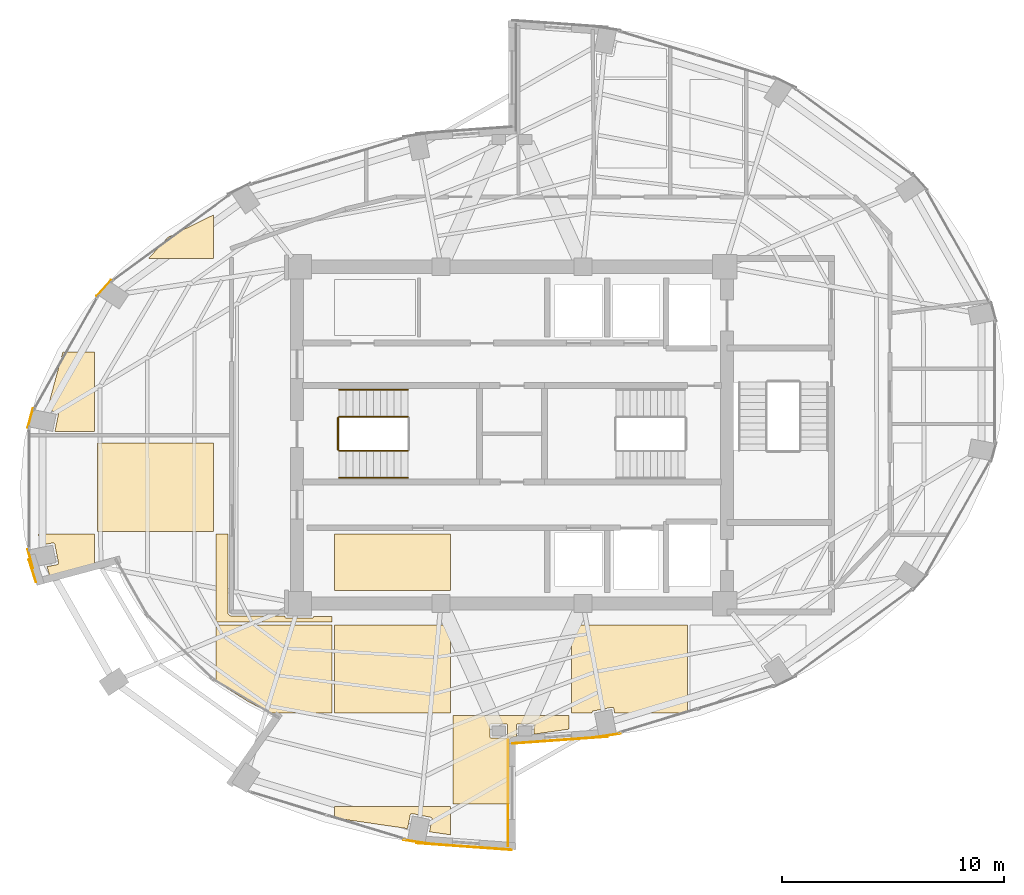
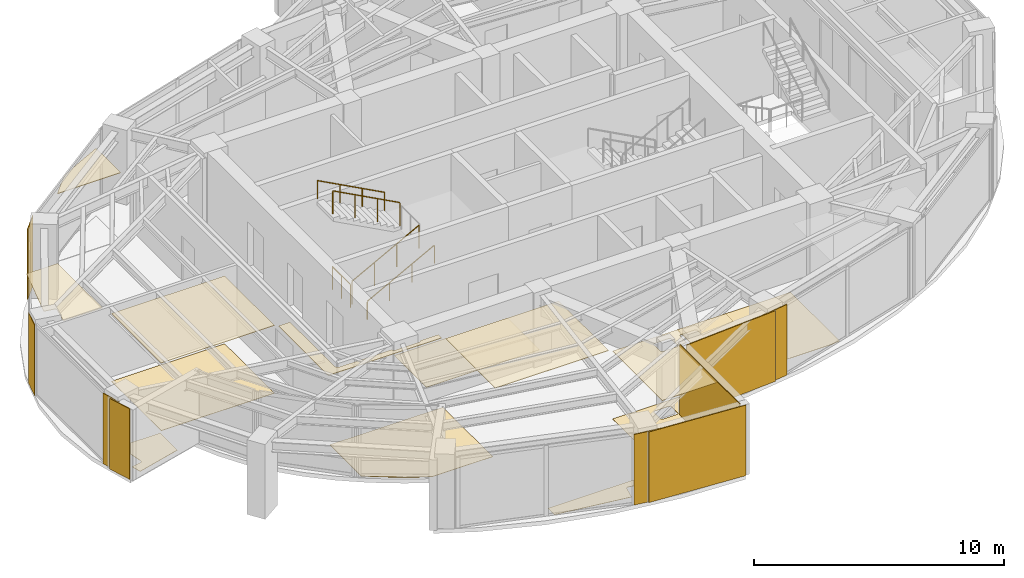
# One storey, part 21 of 22: 22 coverings, 5 railings.
"""IFC4 building model written with IfcOpenShell, lengths in metres."""

from ifc_helpers import new_model, si_unit, direction, frame, origin, origin_2d, place, context, subcontext, project, spatial, polyline, rectangle, circle, outline, extrude, material, layer, layer_set, type_object, element, save


model = new_model("IFC4")

# Units and contexts
model_context = context("Model", 3, precision=1e-05, world=origin(), true_north=direction((0.0, 1.0)))
body_context = subcontext(model_context, "Body", "Model", "MODEL_VIEW")
ifc_project = project(units=[si_unit("LENGTHUNIT", "METRE"), si_unit("AREAUNIT", "SQUARE_METRE"), si_unit("VOLUMEUNIT", "CUBIC_METRE"), si_unit("PLANEANGLEUNIT", "RADIAN"), si_unit("MASSUNIT", "GRAM", prefix="KILO")], contexts=[model_context])

# Site, building, storey
site_placement = place(None, origin())
site = spatial("IfcSite", under=ifc_project, at=site_placement, CompositionType="ELEMENT")
building_placement = place(site_placement, origin())
building = spatial("IfcBuilding", under=site, at=building_placement, Name="Lazwardi Medical Tower", CompositionType="ELEMENT")
storey_placement = place(building_placement, frame((0.0, 0.0, 224.01611328125)))
storey = spatial("IfcBuildingStorey", under=building, at=storey_placement, Name="L58", CompositionType="ELEMENT", Elevation=224.01611328125)

# Coverings
ifc_material_1 = material(Name="Anodised bronze aluminium cassette cladding", Category="aluminium")
ifc_layer_1 = layer(ifc_material_1, 0.030029296875)
ifc_layer_set_1 = layer_set([ifc_layer_1], Name="Anodised bronze aluminium cassette cladding")
covering_type_1 = type_object("IfcCoveringType", Name="COV-CLD-BRZ", PredefinedType="CLADDING", material=ifc_layer_set_1)
covering_1_placement = place(storey_placement, frame((40.3232421875, 14.450439453125, 0.0), z_axis=(0.0, 0.0, 1.0), x_axis=(0.989512431533, 0.144447733943, 0.0)))
element("IfcCovering", 1, at=covering_1_placement, inside=storey, type_object=covering_type_1, Name="L58 Mega-column bronze cassette cover M01", PredefinedType="CLADDING", context=body_context, shape_type="SweptSolid", body=[
    extrude(rectangle(XDim=1.188720703125, YDim=0.030029296875, at=origin_2d()), origin(), (0.0, 0.0, 1.0), 3.447998046875),
])
covering_2_placement = place(storey_placement, frame((17.57470703125, 34.634765625, 0.0), z_axis=(0.0, 0.0, 1.0), x_axis=(-0.673240970654, -0.739423150458, 0.0)))
element("IfcCovering", 2, at=covering_2_placement, inside=storey, type_object=covering_type_1, Name="L58 Mega-column bronze cassette cover M11", PredefinedType="CLADDING", context=body_context, shape_type="SweptSolid", body=[
    extrude(rectangle(XDim=0.98974609375, YDim=0.030029296875, at=origin_2d()), origin(), (0.0, 0.0, 1.0), 3.447998046875),
])
for number, where, z_axis, x_axis, name in (
    (3, (14.265869140625, 28.772705078125, 0.0), (0.0, 0.0, 1.0), (-0.261641748247, -0.96516506131, 0.0), "L58 Mega-column bronze cassette cover M12"),
    (4, (14.265869140625, 22.427490234375, 0.0), (0.0, 0.0, 1.0), (0.261641748247, -0.96516506131, 0.0), "L58 Mega-column bronze cassette cover M13"),
):
    element("IfcCovering", number, at=place(storey_placement, frame(where, z_axis=z_axis, x_axis=x_axis)), inside=storey, type_object=covering_type_1, Name=name, PredefinedType="CLADDING", context=body_context, shape_type="SweptSolid", body=[
        extrude(rectangle(XDim=0.894287109375, YDim=0.030029296875, at=origin_2d()), origin(), (0.0, 0.0, 1.0), 3.447998046875),
    ])
covering_3_placement = place(storey_placement, frame((31.6767578125, 9.650390625, 0.0), z_axis=(0.0, 0.0, 1.0), x_axis=(0.989512431533, -0.144447733943, 0.0)))
element("IfcCovering", 5, at=covering_3_placement, inside=storey, type_object=covering_type_1, Name="L58 Mega-column bronze cassette cover M16", PredefinedType="CLADDING", context=body_context, shape_type="SweptSolid", body=[
    extrude(rectangle(XDim=1.188720703125, YDim=0.030029296875, at=origin_2d()), origin(), (0.0, 0.0, 1.0), 3.447998046875),
])
ifc_material_2 = material(Name="Turquoise glazed ceramic tilework cladding", Category="masonry")
ifc_layer_2 = layer(ifc_material_2, 0.034912109375)
ifc_layer_set_2 = layer_set([ifc_layer_2], Name="Turquoise glazed ceramic tilework cladding")
covering_type_2 = type_object("IfcCoveringType", Name="COV-CLD-TRQ", PredefinedType="CLADDING", material=ifc_layer_set_2)
covering_4_placement = place(storey_placement, frame((38.16259765625, 14.239990234375, 0.0), z_axis=(0.0, 0.0, 1.0), x_axis=(0.997409491337, 0.071932653157, 0.0)))
element("IfcCovering", 6, at=covering_4_placement, inside=storey, type_object=covering_type_2, Name="L58 Turquoise glazed ceramic tilework cladding", PredefinedType="CLADDING", context=body_context, shape_type="SweptSolid", body=[
    extrude(rectangle(XDim=4.31103515625, YDim=0.034912109375, at=origin_2d()), origin(), (0.0, 0.0, 1.0), 3.447998046875),
])
covering_5_placement = place(storey_placement, frame((33.83740234375, 9.43994140625, 0.0), z_axis=(0.0, 0.0, 1.0), x_axis=(0.997408989128, -0.071939616387, 0.0)))
element("IfcCovering", 7, at=covering_5_placement, inside=storey, type_object=covering_type_2, Name="L58 Turquoise glazed ceramic tilework cladding", PredefinedType="CLADDING", context=body_context, shape_type="SweptSolid", body=[
    extrude(rectangle(XDim=4.310546875, YDim=0.034912109375, at=origin_2d()), origin(), (0.0, 0.0, 1.0), 3.447998046875),
])
covering_6_placement = place(storey_placement, frame((35.824462890625, 11.860107421875, 0.0), z_axis=(0.0, 0.0, 1.0), x_axis=(0.0, 1.0, 0.0)))
element("IfcCovering", 8, at=covering_6_placement, inside=storey, type_object=covering_type_2, Name="L58 Turquoise glazed ceramic tilework iwan panel", PredefinedType="CLADDING", context=body_context, shape_type="SweptSolid", body=[
    extrude(rectangle(XDim=4.800048828125, YDim=0.034912109375, at=origin_2d()), origin(), (0.0, 0.0, 1.0), 3.447998046875),
])
covering_7_placement = place(storey_placement, frame((14.360595703125, 21.879150390625, 0.0), z_axis=(0.0, 0.0, 1.0), x_axis=(0.303318010952, -0.952889387197, 0.0)))
element("IfcCovering", 9, at=covering_7_placement, inside=storey, type_object=covering_type_2, Name="L58 Turquoise glazed ceramic tilework cladding", PredefinedType="CLADDING", context=body_context, shape_type="SweptSolid", body=[
    extrude(rectangle(XDim=1.080810546875, YDim=0.034912109375, at=origin_2d()), origin(), (0.0, 0.0, 1.0), 3.447998046875),
])
ifc_material_3 = material(Name="Acoustic mineral fibre tile")
ifc_layer_3 = layer(ifc_material_3, 0.02490234375)
ifc_layer_set_3 = layer_set([ifc_layer_3], Name="Acoustic mineral fibre tile")
covering_type_3 = type_object("IfcCoveringType", Name="COV-CLG-01", PredefinedType="CEILING", material=ifc_layer_set_3)
covering_8_placement = place(storey_placement, frame((0.0, 0.0, 3.302978515625)))
element("IfcCovering", 10, at=covering_8_placement, inside=storey, type_object=covering_type_3, Name="L58 Clinical Acoustic Ceiling 1", PredefinedType="CEILING", context=body_context, shape_type="SweptSolid", body=[
    extrude(outline(polyline([(15.740478515625, 31.742431640625), (15.728271484375, 31.729248046875), (15.0224609375, 29.13134765625), (15.4716796875, 29.0419921875), (15.479248046875, 29.040283203125), (15.486572265625, 29.03759765625), (15.49365234375, 29.0341796875), (15.50048828125, 29.030029296875), (15.5068359375, 29.025390625), (15.5126953125, 29.020263671875), (15.517822265625, 29.014404296875), (15.5224609375, 29.008056640625), (15.526611328125, 29.001220703125), (15.52978515625, 28.994140625), (15.53271484375, 28.98681640625), (15.534423828125, 28.979248046875), (15.53564453125, 28.971435546875), (15.535888671875, 28.963623046875), (15.53564453125, 28.955810546875), (15.534423828125, 28.947998046875), (15.378662109375, 28.1650390625), (17.1728515625, 28.1650390625), (17.1728515625, 31.742431640625), (15.740478515625, 31.742431640625)])), origin(), (0.0, 0.0, 1.0), 0.02490234375),
])
covering_9_placement = place(storey_placement, frame((0.0, 0.0, 3.302978515625)))
element("IfcCovering", 11, at=covering_9_placement, inside=storey, type_object=covering_type_3, Name="L58 Clinical Acoustic Ceiling 2", PredefinedType="CEILING", context=body_context, shape_type="SweptSolid", body=[
    extrude(outline(polyline([(22.52294921875, 23.66259765625), (22.52294921875, 27.642578125), (17.29296875, 27.642578125), (17.29296875, 23.66259765625), (22.52294921875, 23.66259765625)])), origin(), (0.0, 0.0, 1.0), 0.02490234375),
])
covering_10_placement = place(storey_placement, frame((0.0, 0.0, 3.302978515625)))
element("IfcCovering", 12, at=covering_10_placement, inside=storey, type_object=covering_type_3, Name="L58 Clinical Acoustic Ceiling 3", PredefinedType="CEILING", context=body_context, shape_type="SweptSolid", body=[
    extrude(outline(polyline([(22.52294921875, 37.93359375), (20.478271484375, 36.933349609375), (19.592041015625, 35.96240234375), (22.52294921875, 35.96240234375), (22.52294921875, 37.93359375)])), origin(), (0.0, 0.0, 1.0), 0.02490234375),
])
covering_11_placement = place(storey_placement, frame((0.0, 0.0, 3.302978515625)))
element("IfcCovering", 13, at=covering_11_placement, inside=storey, type_object=covering_type_3, Name="L58 Clinical Acoustic Ceiling 4", PredefinedType="CEILING", context=body_context, shape_type="SweptSolid", body=[
    extrude(outline(polyline([(27.872802734375, 19.820068359375), (27.04931640625, 19.820068359375), (27.048583984375, 19.814453125), (27.046630859375, 19.806884765625), (27.0439453125, 19.79931640625), (27.04052734375, 19.792236328125), (27.03662109375, 19.78564453125), (27.03173828125, 19.779296875), (27.026611328125, 19.7734375), (27.020751953125, 19.768310546875), (27.014404296875, 19.763427734375), (27.0078125, 19.759521484375), (27.00048828125, 19.756103515625), (26.9931640625, 19.75341796875), (26.985595703125, 19.75146484375), (26.977783203125, 19.75048828125), (26.969970703125, 19.75), (25.830078125, 19.75), (25.822265625, 19.75048828125), (25.814453125, 19.75146484375), (25.806884765625, 19.75341796875), (25.79931640625, 19.756103515625), (25.792236328125, 19.759521484375), (25.78564453125, 19.763427734375), (25.779296875, 19.768310546875), (25.7734375, 19.7734375), (25.768310546875, 19.779296875), (25.763427734375, 19.78564453125), (25.759521484375, 19.792236328125), (25.756103515625, 19.79931640625), (25.75341796875, 19.806884765625), (25.75146484375, 19.814453125), (25.75048828125, 19.822265625), (25.75, 19.830078125), (25.75, 19.844970703125), (23.35009765625, 19.844970703125), (23.345703125, 19.84521484375), (23.33642578125, 19.845703125), (23.32958984375, 19.84619140625), (23.3203125, 19.84765625), (23.31201171875, 19.84912109375), (23.302734375, 19.8515625), (23.2958984375, 19.853515625), (23.287109375, 19.856689453125), (23.279296875, 19.860107421875), (23.270751953125, 19.864013671875), (23.263916015625, 19.86767578125), (23.256103515625, 19.872314453125), (23.249267578125, 19.876953125), (23.24169921875, 19.882568359375), (23.236083984375, 19.88720703125), (23.229248046875, 19.893310546875), (23.223388671875, 19.8994140625), (23.217041015625, 19.90625), (23.21240234375, 19.911865234375), (23.206787109375, 19.919189453125), (23.202392578125, 19.926025390625), (23.197509765625, 19.93408203125), (23.194091796875, 19.94091796875), (23.18994140625, 19.94921875), (23.186767578125, 19.95703125), (23.18359375, 19.9658203125), (23.181396484375, 19.972900390625), (23.17919921875, 19.98193359375), (23.177490234375, 19.990234375), (23.17626953125, 19.99951171875), (23.175537109375, 20.00634765625), (23.175048828125, 20.015625), (23.175048828125, 20.02001953125), (23.175048828125, 23.54248046875), (22.642822265625, 23.54248046875), (22.642822265625, 19.5625), (27.872802734375, 19.5625), (27.872802734375, 19.820068359375)])), origin(), (0.0, 0.0, 1.0), 0.02490234375),
])
covering_12_placement = place(storey_placement, frame((0.0, 0.0, 3.302978515625)))
element("IfcCovering", 14, at=covering_12_placement, inside=storey, type_object=covering_type_3, Name="L58 Clinical Acoustic Ceiling 5", PredefinedType="CEILING", context=body_context, shape_type="SweptSolid", body=[
    extrude(outline(polyline([(33.222900390625, 15.46240234375), (33.222900390625, 19.4423828125), (27.992919921875, 19.4423828125), (27.992919921875, 15.46240234375), (33.222900390625, 15.46240234375)])), origin(), (0.0, 0.0, 1.0), 0.02490234375),
])
covering_13_placement = place(storey_placement, frame((0.0, 0.0, 3.302978515625)))
element("IfcCovering", 15, at=covering_13_placement, inside=storey, type_object=covering_type_3, Name="L58 Clinical Acoustic Ceiling 6", PredefinedType="CEILING", context=body_context, shape_type="SweptSolid", body=[
    extrude(outline(polyline([(35.919921875, 11.362548828125), (35.919921875, 14.280029296875), (35.92041015625, 14.28759765625), (35.92138671875, 14.295166015625), (35.923095703125, 14.302490234375), (35.92578125, 14.309814453125), (35.928955078125, 14.316650390625), (35.9326171875, 14.3232421875), (35.93701171875, 14.329345703125), (35.94189453125, 14.335205078125), (35.947509765625, 14.34033203125), (35.95361328125, 14.34521484375), (35.9599609375, 14.34912109375), (35.966796875, 14.352783203125), (35.9736328125, 14.355712890625), (35.98095703125, 14.357666015625), (35.988525390625, 14.359130859375), (36.201416015625, 14.39013671875), (36.200439453125, 14.397216796875), (36.199951171875, 14.405029296875), (36.199951171875, 14.89501953125), (36.200439453125, 14.90283203125), (36.201416015625, 14.91064453125), (36.203369140625, 14.918212890625), (36.2060546875, 14.925537109375), (36.20947265625, 14.9326171875), (36.21337890625, 14.939453125), (36.21826171875, 14.94580078125), (36.223388671875, 14.95166015625), (36.229248046875, 14.956787109375), (36.235595703125, 14.96142578125), (36.2421875, 14.965576171875), (36.24951171875, 14.968994140625), (36.2568359375, 14.9716796875), (36.264404296875, 14.973388671875), (36.272216796875, 14.974609375), (36.280029296875, 14.97509765625), (36.919921875, 14.97509765625), (36.927734375, 14.974609375), (36.935546875, 14.973388671875), (36.943115234375, 14.9716796875), (36.95068359375, 14.968994140625), (36.957763671875, 14.965576171875), (36.96435546875, 14.96142578125), (36.970703125, 14.956787109375), (36.9765625, 14.95166015625), (36.981689453125, 14.94580078125), (36.986572265625, 14.939453125), (36.990478515625, 14.9326171875), (36.993896484375, 14.925537109375), (36.99658203125, 14.918212890625), (36.99853515625, 14.91064453125), (36.99951171875, 14.90283203125), (37.0, 14.89501953125), (37.0, 14.506591796875), (38.572998046875, 14.735595703125), (38.572998046875, 15.342529296875), (33.343017578125, 15.342529296875), (33.343017578125, 11.362548828125), (35.919921875, 11.362548828125)]), holes=[polyline([(35.7431640625, 14.328369140625), (35.735595703125, 14.326416015625), (35.727783203125, 14.325439453125), (35.719970703125, 14.324951171875), (35.080078125, 14.324951171875), (35.072265625, 14.325439453125), (35.064453125, 14.326416015625), (35.056884765625, 14.328369140625), (35.04931640625, 14.3310546875), (35.042236328125, 14.33447265625), (35.03564453125, 14.33837890625), (35.029296875, 14.34326171875), (35.0234375, 14.348388671875), (35.018310546875, 14.354248046875), (35.013427734375, 14.360595703125), (35.009521484375, 14.3671875), (35.006103515625, 14.37451171875), (35.00341796875, 14.3818359375), (35.00146484375, 14.389404296875), (35.00048828125, 14.397216796875), (35.0, 14.405029296875), (35.0, 14.89501953125), (35.00048828125, 14.90283203125), (35.00146484375, 14.91064453125), (35.00341796875, 14.918212890625), (35.006103515625, 14.925537109375), (35.009521484375, 14.9326171875), (35.013427734375, 14.939453125), (35.018310546875, 14.94580078125), (35.0234375, 14.95166015625), (35.029296875, 14.956787109375), (35.03564453125, 14.96142578125), (35.042236328125, 14.965576171875), (35.04931640625, 14.968994140625), (35.056884765625, 14.9716796875), (35.064453125, 14.973388671875), (35.072265625, 14.974609375), (35.080078125, 14.97509765625), (35.719970703125, 14.97509765625), (35.727783203125, 14.974609375), (35.735595703125, 14.973388671875), (35.7431640625, 14.9716796875), (35.75048828125, 14.968994140625), (35.7578125, 14.965576171875), (35.764404296875, 14.96142578125), (35.770751953125, 14.956787109375), (35.776611328125, 14.95166015625), (35.78173828125, 14.94580078125), (35.78662109375, 14.939453125), (35.79052734375, 14.9326171875), (35.7939453125, 14.925537109375), (35.796630859375, 14.918212890625), (35.798583984375, 14.91064453125), (35.799560546875, 14.90283203125), (35.800048828125, 14.89501953125), (35.800048828125, 14.405029296875), (35.799560546875, 14.397216796875), (35.798583984375, 14.389404296875), (35.796630859375, 14.3818359375), (35.7939453125, 14.37451171875), (35.79052734375, 14.3671875), (35.78662109375, 14.360595703125), (35.78173828125, 14.354248046875), (35.776611328125, 14.348388671875), (35.770751953125, 14.34326171875), (35.764404296875, 14.33837890625), (35.7578125, 14.33447265625), (35.75048828125, 14.3310546875), (35.7431640625, 14.328369140625)])]), origin(), (0.0, 0.0, 1.0), 0.02490234375),
])
ifc_material_4 = material(Name="Anti-static hospital vinyl sheet flooring")
ifc_layer_4 = layer(ifc_material_4, 0.014892578125)
ifc_layer_set_4 = layer_set([ifc_layer_4], Name="Anti-static hospital vinyl sheet flooring")
covering_type_4 = type_object("IfcCoveringType", Name="COV-FLR-01", PredefinedType="FLOORING", material=ifc_layer_set_4)
covering_14_placement = place(storey_placement, origin())
element("IfcCovering", 16, at=covering_14_placement, inside=storey, type_object=covering_type_4, Name="L58 Clinical Vinyl Flooring 1", PredefinedType="FLOORING", context=body_context, shape_type="SweptSolid", body=[
    extrude(outline(polyline([(14.6220703125, 23.54248046875), (14.759521484375, 23.035888671875), (15.276611328125, 23.138671875), (15.2841796875, 23.139892578125), (15.2919921875, 23.14013671875), (15.2998046875, 23.139892578125), (15.3076171875, 23.138671875), (15.315185546875, 23.13671875), (15.32275390625, 23.134033203125), (15.329833984375, 23.130859375), (15.33642578125, 23.126708984375), (15.343017578125, 23.1220703125), (15.3486328125, 23.11669921875), (15.35400390625, 23.111083984375), (15.358642578125, 23.1044921875), (15.36279296875, 23.097900390625), (15.365966796875, 23.0908203125), (15.36865234375, 23.08349609375), (15.37060546875, 23.07568359375), (15.534423828125, 22.251953125), (15.53564453125, 22.244140625), (15.535888671875, 22.236328125), (15.53564453125, 22.228515625), (15.534423828125, 22.220703125), (15.53271484375, 22.213134765625), (15.52978515625, 22.205810546875), (15.526611328125, 22.19873046875), (15.5224609375, 22.19189453125), (15.517822265625, 22.185791015625), (15.5126953125, 22.1796875), (15.5068359375, 22.174560546875), (15.50048828125, 22.169921875), (15.49365234375, 22.165771484375), (15.486572265625, 22.16259765625), (15.479248046875, 22.159912109375), (15.4716796875, 22.157958984375), (15.0224609375, 22.068603515625), (15.143798828125, 21.62158203125), (17.1728515625, 22.165283203125), (17.1728515625, 23.54248046875), (14.6220703125, 23.54248046875)])), origin(), (0.0, 0.0, 1.0), 0.014892578125),
])
covering_15_placement = place(storey_placement, origin())
element("IfcCovering", 17, at=covering_15_placement, inside=storey, type_object=covering_type_4, Name="L58 Clinical Vinyl Flooring 2", PredefinedType="FLOORING", context=body_context, shape_type="SweptSolid", body=[
    extrude(outline(polyline([(22.52294921875, 23.66259765625), (22.52294921875, 27.642578125), (17.29296875, 27.642578125), (17.29296875, 23.66259765625), (22.52294921875, 23.66259765625)])), origin(), (0.0, 0.0, 1.0), 0.014892578125),
])
covering_16_placement = place(storey_placement, origin())
element("IfcCovering", 18, at=covering_16_placement, inside=storey, type_object=covering_type_4, Name="L58 Clinical Vinyl Flooring 4", PredefinedType="FLOORING", context=body_context, shape_type="SweptSolid", body=[
    extrude(outline(polyline([(22.642822265625, 16.92138671875), (22.92138671875, 16.714111328125), (24.109619140625, 15.971435546875), (25.081787109375, 15.46240234375), (27.872802734375, 15.46240234375), (27.872802734375, 19.4423828125), (22.642822265625, 19.4423828125), (22.642822265625, 16.92138671875)])), origin(), (0.0, 0.0, 1.0), 0.014892578125),
])
covering_17_placement = place(storey_placement, origin())
element("IfcCovering", 19, at=covering_17_placement, inside=storey, type_object=covering_type_4, Name="L58 Clinical Vinyl Flooring 5", PredefinedType="FLOORING", context=body_context, shape_type="SweptSolid", body=[
    extrude(outline(polyline([(27.992919921875, 10.726806640625), (31.285400390625, 10.247314453125), (31.40673828125, 10.8583984375), (31.40869140625, 10.865966796875), (31.411376953125, 10.873291015625), (31.414794921875, 10.88037109375), (31.418701171875, 10.88720703125), (31.423583984375, 10.8935546875), (31.4287109375, 10.8994140625), (31.4345703125, 10.904541015625), (31.44091796875, 10.9091796875), (31.447509765625, 10.913330078125), (31.45458984375, 10.91650390625), (31.462158203125, 10.919189453125), (31.4697265625, 10.921142578125), (31.4775390625, 10.92236328125), (31.4853515625, 10.922607421875), (31.4931640625, 10.92236328125), (31.5009765625, 10.921142578125), (32.32470703125, 10.75732421875), (32.332275390625, 10.75537109375), (32.339599609375, 10.752685546875), (32.3466796875, 10.74951171875), (32.353515625, 10.745361328125), (32.35986328125, 10.740478515625), (32.36572265625, 10.7353515625), (32.370849609375, 10.7294921875), (32.37548828125, 10.72314453125), (32.379638671875, 10.716552734375), (32.383056640625, 10.70947265625), (32.3857421875, 10.701904296875), (32.3876953125, 10.6943359375), (32.388671875, 10.6865234375), (32.38916015625, 10.6787109375), (32.388671875, 10.6708984375), (32.3876953125, 10.6630859375), (32.276123046875, 10.10302734375), (33.222900390625, 9.96533203125), (33.222900390625, 11.242431640625), (27.992919921875, 11.242431640625), (27.992919921875, 10.726806640625)])), origin(), (0.0, 0.0, 1.0), 0.014892578125),
])
covering_18_placement = place(storey_placement, origin())
element("IfcCovering", 20, at=covering_18_placement, inside=storey, type_object=covering_type_4, Name="L58 Clinical Vinyl Flooring 6", PredefinedType="FLOORING", context=body_context, shape_type="SweptSolid", body=[
    extrude(outline(polyline([(27.992919921875, 20.97998046875), (33.222900390625, 20.97998046875), (33.222900390625, 23.54248046875), (27.992919921875, 23.54248046875), (27.992919921875, 20.97998046875)])), origin(), (0.0, 0.0, 1.0), 0.014892578125),
])
covering_19_placement = place(storey_placement, origin())
element("IfcCovering", 21, at=covering_19_placement, inside=storey, type_object=covering_type_4, Name="L58 Clinical Vinyl Flooring 8", PredefinedType="FLOORING", context=body_context, shape_type="SweptSolid", body=[
    extrude(outline(polyline([(35.919921875, 11.362548828125), (35.919921875, 14.280029296875), (35.92041015625, 14.28759765625), (35.92138671875, 14.295166015625), (35.923095703125, 14.302490234375), (35.92578125, 14.309814453125), (35.928955078125, 14.316650390625), (35.9326171875, 14.3232421875), (35.93701171875, 14.329345703125), (35.94189453125, 14.335205078125), (35.947509765625, 14.34033203125), (35.95361328125, 14.34521484375), (35.9599609375, 14.34912109375), (35.966796875, 14.352783203125), (35.9736328125, 14.355712890625), (35.98095703125, 14.357666015625), (35.988525390625, 14.359130859375), (36.201416015625, 14.39013671875), (36.200439453125, 14.397216796875), (36.199951171875, 14.405029296875), (36.199951171875, 14.89501953125), (36.200439453125, 14.90283203125), (36.201416015625, 14.91064453125), (36.203369140625, 14.918212890625), (36.2060546875, 14.925537109375), (36.20947265625, 14.9326171875), (36.21337890625, 14.939453125), (36.21826171875, 14.94580078125), (36.223388671875, 14.95166015625), (36.229248046875, 14.956787109375), (36.235595703125, 14.96142578125), (36.2421875, 14.965576171875), (36.24951171875, 14.968994140625), (36.2568359375, 14.9716796875), (36.264404296875, 14.973388671875), (36.272216796875, 14.974609375), (36.280029296875, 14.97509765625), (36.919921875, 14.97509765625), (36.927734375, 14.974609375), (36.935546875, 14.973388671875), (36.943115234375, 14.9716796875), (36.95068359375, 14.968994140625), (36.957763671875, 14.965576171875), (36.96435546875, 14.96142578125), (36.970703125, 14.956787109375), (36.9765625, 14.95166015625), (36.981689453125, 14.94580078125), (36.986572265625, 14.939453125), (36.990478515625, 14.9326171875), (36.993896484375, 14.925537109375), (36.99658203125, 14.918212890625), (36.99853515625, 14.91064453125), (36.99951171875, 14.90283203125), (37.0, 14.89501953125), (37.0, 14.506591796875), (38.572998046875, 14.735595703125), (38.572998046875, 15.342529296875), (33.343017578125, 15.342529296875), (33.343017578125, 11.362548828125), (35.919921875, 11.362548828125)]), holes=[polyline([(35.7431640625, 14.328369140625), (35.735595703125, 14.326416015625), (35.727783203125, 14.325439453125), (35.719970703125, 14.324951171875), (35.080078125, 14.324951171875), (35.072265625, 14.325439453125), (35.064453125, 14.326416015625), (35.056884765625, 14.328369140625), (35.04931640625, 14.3310546875), (35.042236328125, 14.33447265625), (35.03564453125, 14.33837890625), (35.029296875, 14.34326171875), (35.0234375, 14.348388671875), (35.018310546875, 14.354248046875), (35.013427734375, 14.360595703125), (35.009521484375, 14.3671875), (35.006103515625, 14.37451171875), (35.00341796875, 14.3818359375), (35.00146484375, 14.389404296875), (35.00048828125, 14.397216796875), (35.0, 14.405029296875), (35.0, 14.89501953125), (35.00048828125, 14.90283203125), (35.00146484375, 14.91064453125), (35.00341796875, 14.918212890625), (35.006103515625, 14.925537109375), (35.009521484375, 14.9326171875), (35.013427734375, 14.939453125), (35.018310546875, 14.94580078125), (35.0234375, 14.95166015625), (35.029296875, 14.956787109375), (35.03564453125, 14.96142578125), (35.042236328125, 14.965576171875), (35.04931640625, 14.968994140625), (35.056884765625, 14.9716796875), (35.064453125, 14.973388671875), (35.072265625, 14.974609375), (35.080078125, 14.97509765625), (35.719970703125, 14.97509765625), (35.727783203125, 14.974609375), (35.735595703125, 14.973388671875), (35.7431640625, 14.9716796875), (35.75048828125, 14.968994140625), (35.7578125, 14.965576171875), (35.764404296875, 14.96142578125), (35.770751953125, 14.956787109375), (35.776611328125, 14.95166015625), (35.78173828125, 14.94580078125), (35.78662109375, 14.939453125), (35.79052734375, 14.9326171875), (35.7939453125, 14.925537109375), (35.796630859375, 14.918212890625), (35.798583984375, 14.91064453125), (35.799560546875, 14.90283203125), (35.800048828125, 14.89501953125), (35.800048828125, 14.405029296875), (35.799560546875, 14.397216796875), (35.798583984375, 14.389404296875), (35.796630859375, 14.3818359375), (35.7939453125, 14.37451171875), (35.79052734375, 14.3671875), (35.78662109375, 14.360595703125), (35.78173828125, 14.354248046875), (35.776611328125, 14.348388671875), (35.770751953125, 14.34326171875), (35.764404296875, 14.33837890625), (35.7578125, 14.33447265625), (35.75048828125, 14.3310546875), (35.7431640625, 14.328369140625)])]), origin(), (0.0, 0.0, 1.0), 0.014892578125),
])
covering_20_placement = place(storey_placement, origin())
element("IfcCovering", 22, at=covering_20_placement, inside=storey, type_object=covering_type_4, Name="L58 Clinical Vinyl Flooring 9", PredefinedType="FLOORING", context=body_context, shape_type="SweptSolid", body=[
    extrude(outline(polyline([(39.612548828125, 15.46240234375), (39.6123046875, 15.463134765625), (39.611328125, 15.470947265625), (39.61083984375, 15.478759765625), (39.611328125, 15.486572265625), (39.6123046875, 15.494384765625), (39.6142578125, 15.501953125), (39.616943359375, 15.509521484375), (39.620361328125, 15.5166015625), (39.62451171875, 15.523193359375), (39.629150390625, 15.529541015625), (39.63427734375, 15.535400390625), (39.64013671875, 15.54052734375), (39.646484375, 15.54541015625), (39.6533203125, 15.54931640625), (39.660400390625, 15.552734375), (39.667724609375, 15.555419921875), (39.67529296875, 15.557373046875), (40.4990234375, 15.72119140625), (40.5068359375, 15.722412109375), (40.5146484375, 15.72265625), (40.5224609375, 15.722412109375), (40.5302734375, 15.72119140625), (40.537841796875, 15.71923828125), (40.54541015625, 15.716552734375), (40.552490234375, 15.71337890625), (40.55908203125, 15.709228515625), (40.5654296875, 15.70458984375), (40.5712890625, 15.69921875), (40.576416015625, 15.693603515625), (40.581298828125, 15.687255859375), (40.585205078125, 15.680419921875), (40.588623046875, 15.67333984375), (40.59130859375, 15.666015625), (40.59326171875, 15.658203125), (40.632080078125, 15.46240234375), (43.565185546875, 15.46240234375), (43.9228515625, 15.5146484375), (43.9228515625, 19.4423828125), (38.69287109375, 19.4423828125), (38.69287109375, 15.46240234375), (39.612548828125, 15.46240234375)])), origin(), (0.0, 0.0, 1.0), 0.014892578125),
])

# Railings
ifc_material_5 = material(Name="Stainless steel Grade 316", Category="steel")
railing_type_1 = type_object("IfcRailingType", Name="RLG-GRD-1150", PredefinedType="GUARDRAIL", material=ifc_material_5)
railing_1_placement = place(storey_placement, frame((28.199951171875, 27.2900390625, 0.165771484375)))
element("IfcRailing", 23, at=railing_1_placement, inside=storey, type_object=railing_type_1, Name="L58 ST1 stair guard 1", PredefinedType="GUARDRAIL", context=body_context, shape_type="SweptSolid", body=[
    extrude(circle(Radius=0.02392578125, at=origin_2d()), frame((0.0, 0.0, 1.1259765625), z_axis=(0.881783298633, 0.0, 0.471654761719), x_axis=(0.0, 1.0, 0.0)), (0.0, 0.0, 1.0), 3.515625),
    extrude(circle(Radius=0.02099609375, at=origin_2d()), origin(), (0.0, 0.0, 1.0), 1.099853515625),
    extrude(circle(Radius=0.02099609375, at=origin_2d()), frame((1.033447265625, 0.0, 0.552734375)), (0.0, 0.0, 1.0), 1.099853515625),
    extrude(circle(Radius=0.02099609375, at=origin_2d()), frame((2.066650390625, 0.0, 1.10546875)), (0.0, 0.0, 1.0), 1.099853515625),
    extrude(circle(Radius=0.02099609375, at=origin_2d()), frame((3.10009765625, 0.0, 1.658203125)), (0.0, 0.0, 1.0), 1.099853515625),
])
railing_2_placement = place(storey_placement, frame((31.300048828125, 28.830078125, 1.98974609375)))
element("IfcRailing", 24, at=railing_2_placement, inside=storey, type_object=railing_type_1, Name="L58 ST1 stair guard 3", PredefinedType="GUARDRAIL", context=body_context, shape_type="SweptSolid", body=[
    extrude(circle(Radius=0.02392578125, at=origin_2d()), frame((0.0, 0.0, 1.1259765625), z_axis=(-0.881783298633, 0.0, 0.471654761719), x_axis=(0.0, -1.0, 0.0)), (0.0, 0.0, 1.0), 3.515625),
    extrude(circle(Radius=0.02099609375, at=origin_2d()), origin(), (0.0, 0.0, 1.0), 1.099853515625),
    extrude(circle(Radius=0.02099609375, at=origin_2d()), frame((-1.033447265625, 0.0, 0.552734375)), (0.0, 0.0, 1.0), 1.099853515625),
    extrude(circle(Radius=0.02099609375, at=origin_2d()), frame((-2.066650390625, 0.0, 1.10546875)), (0.0, 0.0, 1.0), 1.099853515625),
    extrude(circle(Radius=0.02099609375, at=origin_2d()), frame((-3.10009765625, 0.0, 1.658203125)), (0.0, 0.0, 1.0), 1.099853515625),
])
railing_3_placement = place(storey_placement, frame((28.14990234375, 27.340087890625, 0.0)))
element("IfcRailing", 25, at=railing_3_placement, inside=storey, type_object=railing_type_1, Name="L58 ST1 stair guard 4", PredefinedType="GUARDRAIL", context=body_context, shape_type="SweptSolid", body=[
    extrude(circle(Radius=0.02392578125, at=origin_2d()), frame((0.0, 0.0, 1.1259765625), z_axis=(0.0, 1.0, 0.0), x_axis=(-1.0, 0.0, 0.0)), (0.0, 0.0, 1.0), 1.43994140625),
    extrude(circle(Radius=0.02099609375, at=origin_2d()), origin(), (0.0, 0.0, 1.0), 1.099853515625),
    extrude(circle(Radius=0.02099609375, at=origin_2d()), frame((0.0, 0.719970703125, 0.0)), (0.0, 0.0, 1.0), 1.099853515625),
    extrude(circle(Radius=0.02099609375, at=origin_2d()), frame((0.0, 1.43994140625, 0.0)), (0.0, 0.0, 1.0), 1.099853515625),
])
railing_type_2 = type_object("IfcRailingType", Name="RLG-HND-920", PredefinedType="HANDRAIL", material=ifc_material_5)
railing_4_placement = place(storey_placement, frame((28.199951171875, 26.070068359375, 0.165771484375)))
element("IfcRailing", 26, at=railing_4_placement, inside=storey, type_object=railing_type_2, Name="L58 ST1 stair handrail 1", PredefinedType="HANDRAIL", context=body_context, shape_type="SweptSolid", body=[
    extrude(circle(Radius=0.02392578125, at=origin_2d()), frame((0.0, 0.0, 0.8857421875), z_axis=(0.881783298633, 0.0, 0.471654761719), x_axis=(0.0, 1.0, 0.0)), (0.0, 0.0, 1.0), 3.515625),
    extrude(circle(Radius=0.02099609375, at=origin_2d()), origin(), (0.0, 0.0, 1.0), 0.85986328125),
    extrude(circle(Radius=0.02099609375, at=origin_2d()), frame((1.033447265625, 0.0, 0.552734375)), (0.0, 0.0, 1.0), 0.85986328125),
    extrude(circle(Radius=0.02099609375, at=origin_2d()), frame((2.066650390625, 0.0, 1.10546875)), (0.0, 0.0, 1.0), 0.85986328125),
    extrude(circle(Radius=0.02099609375, at=origin_2d()), frame((3.10009765625, 0.0, 1.658203125)), (0.0, 0.0, 1.0), 0.85986328125),
])
railing_5_placement = place(storey_placement, frame((31.300048828125, 30.050048828125, 1.98974609375)))
element("IfcRailing", 27, at=railing_5_placement, inside=storey, type_object=railing_type_2, Name="L58 ST1 stair handrail 2", PredefinedType="HANDRAIL", context=body_context, shape_type="SweptSolid", body=[
    extrude(circle(Radius=0.02392578125, at=origin_2d()), frame((0.0, 0.0, 0.8857421875), z_axis=(-0.881783298633, 0.0, 0.471654761719), x_axis=(0.0, -1.0, 0.0)), (0.0, 0.0, 1.0), 3.515625),
    extrude(circle(Radius=0.02099609375, at=origin_2d()), origin(), (0.0, 0.0, 1.0), 0.85986328125),
    extrude(circle(Radius=0.02099609375, at=origin_2d()), frame((-1.033447265625, 0.0, 0.552734375)), (0.0, 0.0, 1.0), 0.85986328125),
    extrude(circle(Radius=0.02099609375, at=origin_2d()), frame((-2.066650390625, 0.0, 1.10546875)), (0.0, 0.0, 1.0), 0.85986328125),
    extrude(circle(Radius=0.02099609375, at=origin_2d()), frame((-3.10009765625, 0.0, 1.658203125)), (0.0, 0.0, 1.0), 0.85986328125),
])

save(model, "model.ifc")
